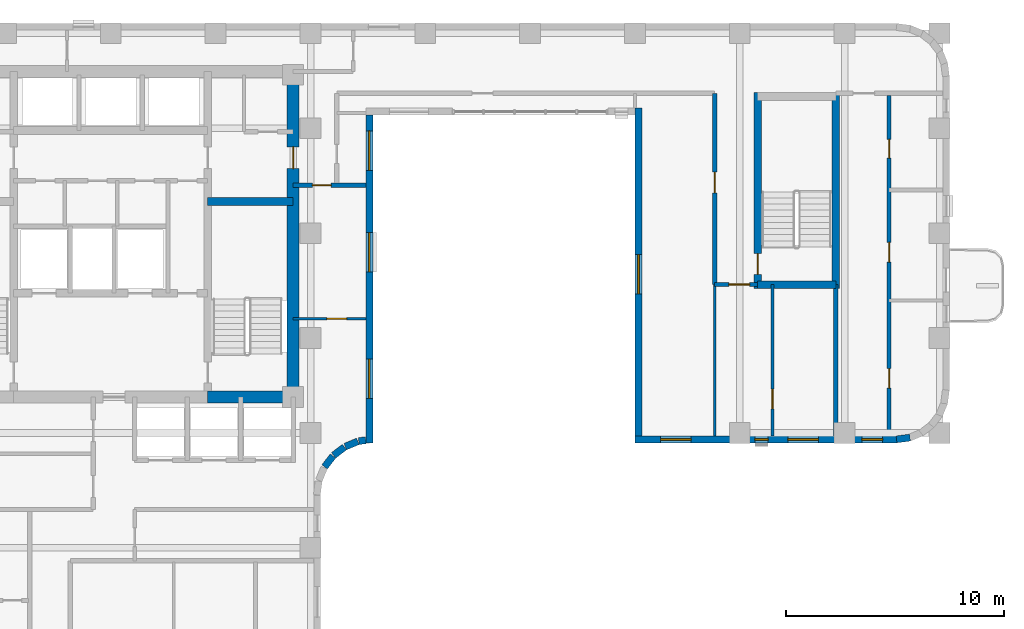
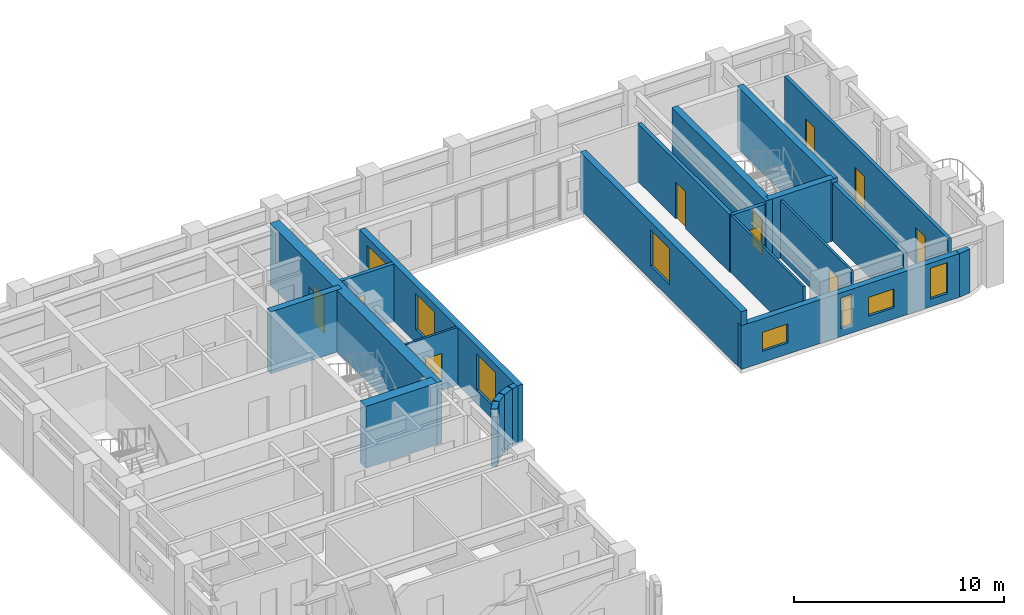
# One storey, part 6 of 11: 22 walls, 10 doors, 8 windows, 18 openings.
"""IFC4 building model written with IfcOpenShell, lengths in metres."""

from ifc_helpers import new_model, si_unit, direction, frame, frame_2d, origin, place, context, subcontext, project, spatial, rectangle, extrude, material, layer, layer_set, type_object, element, fill, save


model = new_model("IFC4")

# Units and contexts
model_context = context("Model", 3, precision=1e-05, world=origin(), true_north=direction((0.0, 1.0)))
body_context = subcontext(model_context, "Body", "Model", "MODEL_VIEW")
ifc_project = project(units=[si_unit("LENGTHUNIT", "METRE"), si_unit("AREAUNIT", "SQUARE_METRE"), si_unit("VOLUMEUNIT", "CUBIC_METRE"), si_unit("PLANEANGLEUNIT", "RADIAN"), si_unit("MASSUNIT", "GRAM", prefix="KILO")], contexts=[model_context])

# Site, building, storey
site_placement = place(None, origin())
site = spatial("IfcSite", under=ifc_project, at=site_placement, CompositionType="ELEMENT")
building_placement = place(site_placement, origin())
building = spatial("IfcBuilding", under=site, at=building_placement, Name="Orvandelia Arch Residences", CompositionType="ELEMENT")
storey_placement = place(building_placement, frame((0.0, 0.0, 175.60009765625)))
storey = spatial("IfcBuildingStorey", under=building, at=storey_placement, Name="L46", CompositionType="ELEMENT", Elevation=175.60009765625)

# Wall
ifc_material_1 = material(Name="Concrete C50/60", Category="concrete")
ifc_layer_1 = layer(ifc_material_1, 0.35009765625, Name="Concrete C50/60", Category="concrete")
ifc_layer_set_1 = layer_set([ifc_layer_1], Name="Concrete C50/60")
wall_type_1 = type_object("IfcWallType", Name="WL-CORE-350", PredefinedType="SHEAR", material=ifc_layer_set_1)
wall_1_placement = place(storey_placement, frame((18.840087890625, 39.85009765625, 0.0), z_axis=(0.0, 0.0, 1.0), x_axis=(1.0, 0.0, 0.0)))
element("IfcWall", 1, at=wall_1_placement, inside=storey, type_object=wall_type_1, Name="Core Shear Wall L46-HZ2", PredefinedType="SHEAR", context=body_context, shape_type="SweptSolid", body=[
    extrude(rectangle(XDim=3.909912109375, YDim=0.35009765625, at=frame_2d((1.955078125, 0.0))), origin(), (0.0, 0.0, 1.0), 3.599853515625),
])

# Wall, opening, door
wall_2_placement = place(storey_placement, frame((44.02001953125, 35.864990234375, 0.0), z_axis=(0.0, 0.0, 1.0), x_axis=(0.0, 1.0, 0.0)))
wall_2 = element("IfcWall", 2, at=wall_2_placement, inside=storey, type_object=wall_type_1, Name="East Stair Core Shear Wall L46-W", PredefinedType="SHEAR", context=body_context, shape_type="SweptSolid", body=[
    extrude(rectangle(XDim=8.969970703125, YDim=0.35009765625, at=frame_2d((4.48486328125, 0.0))), origin(), (0.0, 0.0, 1.0), 3.599853515625),
])
opening_1_placement = place(wall_2_placement, frame((0.64990234375, 0.0, 0.0)))
opening_1 = element("IfcOpeningElement", 3, at=opening_1_placement, cuts=wall_2, Name="Opening D7", PredefinedType="OPENING", context=body_context, shape_type="SweptSolid", body=[
    extrude(rectangle(XDim=0.949951171875, YDim=2.10009765625, at=frame_2d((0.47509765625, 1.050048828125))), frame((0.0, 0.18505859375, 0.0), z_axis=(0.0, -1.0, 0.0), x_axis=(1.0, 0.0, 0.0)), (0.0, 0.0, 1.0), 0.3701171875),
])
ifc_material_2 = material(Name="Pressurised Stairwell Fire Door")
door_type_1 = type_object("IfcDoorType", Name="DR-STAIR-950", OperationType="NOTDEFINED", PredefinedType="DOOR", material=ifc_material_2)
door_1_placement = place(opening_1_placement, origin())
door_1 = element("IfcDoor", 4, at=door_1_placement, inside=storey, type_object=door_type_1, Name="East Stairwell ST-3 Fire Door L46", OperationType="SINGLE_SWING_LEFT", OverallHeight=2.10009765625, OverallWidth=0.949951171875, PredefinedType="DOOR", context=body_context, shape_type="SweptSolid", body=[
    extrude(rectangle(XDim=0.949951171875, YDim=2.10009765625, at=frame_2d((0.47509765625, 1.050048828125))), frame((0.0, 0.02490234375, 0.0), z_axis=(0.0, -1.0, 0.0), x_axis=(1.0, 0.0, 0.0)), (0.0, 0.0, 1.0), 0.050048828125),
])
fill(opening_1, door_1)

# Walls
wall_3_placement = place(storey_placement, frame((47.60009765625, 35.864990234375, 0.0), z_axis=(0.0, 0.0, 1.0), x_axis=(0.0, 1.0, 0.0)))
element("IfcWall", 5, at=wall_3_placement, inside=storey, type_object=wall_type_1, Name="East Stair Core Shear Wall L46-E", PredefinedType="SHEAR", context=body_context, shape_type="SweptSolid", body=[
    extrude(rectangle(XDim=8.969970703125, YDim=0.35009765625, at=frame_2d((4.48486328125, 0.0))), origin(), (0.0, 0.0, 1.0), 3.599853515625),
])
wall_4_placement = place(storey_placement, frame((44.02001953125, 36.0400390625, 0.0), z_axis=(0.0, 0.0, 1.0), x_axis=(1.0, 0.0, 0.0)))
element("IfcWall", 6, at=wall_4_placement, inside=storey, type_object=wall_type_1, Name="East Stair Core Shear Wall L46-S", PredefinedType="SHEAR", context=body_context, shape_type="SweptSolid", body=[
    extrude(rectangle(XDim=3.580078125, YDim=0.35009765625, at=frame_2d((1.7900390625, 0.0))), origin(), (0.0, 0.0, 1.0), 3.599853515625),
])

# Wall, opening, door
ifc_material_3 = material(Name="Concrete C60/75", Category="concrete")
ifc_layer_2 = layer(ifc_material_3, 0.550048828125, Name="Concrete C60/75", Category="concrete")
ifc_layer_set_2 = layer_set([ifc_layer_2], Name="Concrete C60/75")
wall_type_2 = type_object("IfcWallType", Name="WL-CORE-550", PredefinedType="SHEAR", material=ifc_layer_set_2)
wall_5_placement = place(storey_placement, frame((22.75, 30.625, 0.0), z_axis=(0.0, 0.0, 1.0), x_axis=(0.0, 1.0, 0.0)))
wall_5 = element("IfcWall", 7, at=wall_5_placement, inside=storey, type_object=wall_type_2, Name="Core Shear Wall L46-E", PredefinedType="SHEAR", context=body_context, shape_type="SweptSolid", body=[
    extrude(rectangle(XDim=15.449951171875, YDim=0.550048828125, at=frame_2d((7.72509765625, 0.0))), origin(), (0.0, 0.0, 1.0), 3.599853515625),
])
opening_2_placement = place(wall_5_placement, frame((10.72509765625, 0.0, 0.0)))
opening_2 = element("IfcOpeningElement", 8, at=opening_2_placement, cuts=wall_5, Name="Opening D6", PredefinedType="OPENING", context=body_context, shape_type="SweptSolid", body=[
    extrude(rectangle(XDim=1.0, YDim=2.14990234375, at=frame_2d((0.5, 1.074951171875))), frame((0.0, 0.28515625, 0.0), z_axis=(0.0, -1.0, 0.0), x_axis=(1.0, 0.0, 0.0)), (0.0, 0.0, 1.0), 0.570068359375),
])
ifc_material_4 = material(Name="Smokeproof Painted Steel Fire Door", Category="steel")
door_type_2 = type_object("IfcDoorType", Name="DR-FD60-1000", OperationType="NOTDEFINED", PredefinedType="DOOR", material=ifc_material_4)
door_2_placement = place(opening_2_placement, origin())
door_2 = element("IfcDoor", 9, at=door_2_placement, inside=storey, type_object=door_type_2, Name="Core East Corridor Link Door L46", OperationType="SINGLE_SWING_LEFT", OverallHeight=2.14990234375, OverallWidth=1.0, PredefinedType="DOOR", context=body_context, shape_type="SweptSolid", body=[
    extrude(rectangle(XDim=1.0, YDim=2.14990234375, at=frame_2d((0.5, 1.074951171875))), frame((0.0, 0.02490234375, 0.0), z_axis=(0.0, -1.0, 0.0), x_axis=(1.0, 0.0, 0.0)), (0.0, 0.0, 1.0), 0.050048828125),
])
fill(opening_2, door_2)

# Wall
wall_6_placement = place(storey_placement, frame((18.840087890625, 30.89990234375, 0.0), z_axis=(0.0, 0.0, 1.0), x_axis=(1.0, 0.0, 0.0)))
element("IfcWall", 10, at=wall_6_placement, inside=storey, type_object=wall_type_2, Name="Core Shear Wall L46-SE", PredefinedType="SHEAR", context=body_context, shape_type="SweptSolid", body=[
    extrude(rectangle(XDim=3.909912109375, YDim=0.550048828125, at=frame_2d((1.955078125, 0.0))), origin(), (0.0, 0.0, 1.0), 3.599853515625),
])

# Wall, opening, door
ifc_material_5 = material(Name="Fire-Rated Corridor Partition")
ifc_layer_3 = layer(ifc_material_5, 0.199951171875, Name="Fire-Rated Corridor Partition")
ifc_layer_set_3 = layer_set([ifc_layer_3], Name="Fire-Rated Corridor Partition")
wall_type_3 = type_object("IfcWallType", Name="WL-CORR-200", PredefinedType="PARTITIONING", material=ifc_layer_set_3)
wall_7_placement = place(storey_placement, frame((22.75, 40.60009765625, 0.0), z_axis=(0.0, 0.0, 1.0), x_axis=(1.0, 0.0, 0.0)))
wall_7 = element("IfcWall", 11, at=wall_7_placement, inside=storey, type_object=wall_type_3, Name="Interior Partition Wall WL-L46-ENP-LS", PredefinedType="PARTITIONING", context=body_context, shape_type="SweptSolid", body=[
    extrude(rectangle(XDim=3.330078125, YDim=0.199951171875, at=frame_2d((1.6650390625, 0.0))), origin(), (0.0, 0.0, 1.0), 3.35986328125),
])
opening_3_placement = place(wall_7_placement, frame((0.8798828125, 0.0, 0.0)))
opening_3 = element("IfcOpeningElement", 12, at=opening_3_placement, cuts=wall_7, Name="Opening D4", PredefinedType="OPENING", context=body_context, shape_type="SweptSolid", body=[
    extrude(rectangle(XDim=0.860107421875, YDim=2.10009765625, at=frame_2d((0.43017578125, 1.050048828125))), frame((0.0, 0.10986328125, 0.0), z_axis=(0.0, -1.0, 0.0), x_axis=(1.0, 0.0, 0.0)), (0.0, 0.0, 1.0), 0.219970703125),
])
ifc_material_6 = material(Name="Moisture-Sealed Timber Bathroom Door", Category="wood")
door_type_3 = type_object("IfcDoorType", Name="DR-WET-900", OperationType="NOTDEFINED", PredefinedType="DOOR", material=ifc_material_6)
door_3_placement = place(opening_3_placement, origin())
door_3 = element("IfcDoor", 13, at=door_3_placement, inside=storey, type_object=door_type_3, Name="DR-L46-VPWL2", OperationType="SINGLE_SWING_RIGHT", OverallHeight=2.10009765625, OverallWidth=0.860107421875, PredefinedType="DOOR", context=body_context, shape_type="SweptSolid", body=[
    extrude(rectangle(XDim=0.860107421875, YDim=2.10009765625, at=frame_2d((0.43017578125, 1.050048828125))), frame((0.0, 0.02490234375, 0.0), z_axis=(0.0, -1.0, 0.0), x_axis=(1.0, 0.0, 0.0)), (0.0, 0.0, 1.0), 0.050048828125),
])
fill(opening_3, door_3)

wall_8_placement = place(storey_placement, frame((42.050048828125, 36.050048828125, 0.0), z_axis=(0.0, 0.0, 1.0), x_axis=(0.0, 1.0, 0.0)))
wall_8 = element("IfcWall", 14, at=wall_8_placement, inside=storey, type_object=wall_type_3, Name="Interior Partition Wall WL-L46-ENP-SW", PredefinedType="PARTITIONING", context=body_context, shape_type="SweptSolid", body=[
    extrude(rectangle(XDim=8.75, YDim=0.199951171875, at=frame_2d((4.375, 0.0))), origin(), (0.0, 0.0, 1.0), 3.35986328125),
])
opening_4_placement = place(wall_8_placement, frame((4.199951171875, 0.0, 0.0)))
opening_4 = element("IfcOpeningElement", 15, at=opening_4_placement, cuts=wall_8, Name="Opening D2", PredefinedType="OPENING", context=body_context, shape_type="SweptSolid", body=[
    extrude(rectangle(XDim=0.949951171875, YDim=2.14990234375, at=frame_2d((0.47509765625, 1.074951171875))), frame((0.0, 0.10986328125, 0.0), z_axis=(0.0, -1.0, 0.0), x_axis=(1.0, 0.0, 0.0)), (0.0, 0.0, 1.0), 0.219970703125),
])
ifc_material_7 = material(Name="Solid-Core Timber Interior Fire Door", Category="wood")
door_type_4 = type_object("IfcDoorType", Name="DR-APT-950", OperationType="NOTDEFINED", PredefinedType="DOOR", material=ifc_material_7)
door_4_placement = place(opening_4_placement, origin())
door_4 = element("IfcDoor", 16, at=door_4_placement, inside=storey, type_object=door_type_4, Name="DR-L46-VPE1", OperationType="SINGLE_SWING_LEFT", OverallHeight=2.14990234375, OverallWidth=0.949951171875, PredefinedType="DOOR", context=body_context, shape_type="SweptSolid", body=[
    extrude(rectangle(XDim=0.949951171875, YDim=2.14990234375, at=frame_2d((0.47509765625, 1.074951171875))), frame((0.0, 0.02490234375, 0.0), z_axis=(0.0, -1.0, 0.0), x_axis=(1.0, 0.0, 0.0)), (0.0, 0.0, 1.0), 0.050048828125),
])
fill(opening_4, door_4)

wall_9_placement = place(storey_placement, frame((42.050048828125, 36.050048828125, 0.0), z_axis=(0.0, 0.0, 1.0), x_axis=(1.0, 0.0, 0.0)))
wall_9 = element("IfcWall", 17, at=wall_9_placement, inside=storey, type_object=wall_type_3, Name="Interior Partition Wall WL-L46-ENP-SS", PredefinedType="PARTITIONING", context=body_context, shape_type="SweptSolid", body=[
    extrude(rectangle(XDim=1.969970703125, YDim=0.199951171875, at=frame_2d((0.98486328125, 0.0))), origin(), (0.0, 0.0, 1.0), 3.35986328125),
])
opening_5_placement = place(wall_9_placement, frame((0.64990234375, 0.0, 0.0)))
opening_5 = element("IfcOpeningElement", 18, at=opening_5_placement, cuts=wall_9, Name="Opening D2", PredefinedType="OPENING", context=body_context, shape_type="SweptSolid", body=[
    extrude(rectangle(XDim=0.949951171875, YDim=2.14990234375, at=frame_2d((0.47509765625, 1.074951171875))), frame((0.0, 0.10986328125, 0.0), z_axis=(0.0, -1.0, 0.0), x_axis=(1.0, 0.0, 0.0)), (0.0, 0.0, 1.0), 0.219970703125),
])
door_5_placement = place(opening_5_placement, origin())
door_5 = element("IfcDoor", 19, at=door_5_placement, inside=storey, type_object=door_type_4, Name="DR-L46-VPS3A", OperationType="SINGLE_SWING_LEFT", OverallHeight=2.14990234375, OverallWidth=0.949951171875, PredefinedType="DOOR", context=body_context, shape_type="SweptSolid", body=[
    extrude(rectangle(XDim=0.949951171875, YDim=2.14990234375, at=frame_2d((0.47509765625, 1.074951171875))), frame((0.0, 0.02490234375, 0.0), z_axis=(0.0, -1.0, 0.0), x_axis=(1.0, 0.0, 0.0)), (0.0, 0.0, 1.0), 0.050048828125),
])
fill(opening_5, door_5)

# Walls
ifc_material_8 = material(Name="Concrete C40/50", Category="concrete")
ifc_layer_4 = layer(ifc_material_8, 0.199951171875, Name="Concrete C40/50", Category="concrete")
ifc_layer_set_4 = layer_set([ifc_layer_4], Name="Concrete C40/50")
wall_type_4 = type_object("IfcWallType", Name="WL-DEM-200", PredefinedType="SOLIDWALL", material=ifc_layer_set_4)
wall_10_placement = place(storey_placement, frame((47.60009765625, 29.1201171875, 0.0), z_axis=(0.0, 0.0, 1.0), x_axis=(0.0, 1.0, 0.0)))
element("IfcWall", 20, at=wall_10_placement, inside=storey, type_object=wall_type_4, Name="Interior Partition Wall WL-L46-VPS3-E", PredefinedType="SOLIDWALL", context=body_context, shape_type="SweptSolid", body=[
    extrude(rectangle(XDim=6.919921875, YDim=0.199951171875, at=frame_2d((3.4599609375, 0.0))), origin(), (0.0, 0.0, 1.0), 3.35986328125),
])
ifc_material_9 = material(Name="Precast concrete C40/50", Category="concrete")
ifc_layer_5 = layer(ifc_material_9, 0.320068359375, Name="Precast concrete C40/50", Category="concrete")
ifc_layer_set_5 = layer_set([ifc_layer_5], Name="Precast concrete C40/50")
wall_type_5 = type_object("IfcWallType", Name="WL-EXT-STONE-320", PredefinedType="STANDARD", material=ifc_layer_set_5)
wall_11_placement = place(storey_placement, frame((51.000244140625, 29.040283203125, 0.0), z_axis=(0.0, 0.0, 1.0), x_axis=(-0.9914410257, -0.130555323746, 0.0)))
element("IfcWall", 21, at=wall_11_placement, inside=storey, type_object=wall_type_5, Name="Coral-Limestone Precast Facade Wall L46-020", PredefinedType="STANDARD", context=body_context, shape_type="SweptSolid", body=[
    extrude(rectangle(XDim=0.62646484375, YDim=0.320068359375, at=frame_2d((0.313232421875, 0.0))), origin(), (0.0, 0.0, 1.0), 2.539794921875),
])

# Wall, openings, windows
wall_12_placement = place(storey_placement, frame((50.39990234375, 28.9599609375, 0.0), z_axis=(0.0, 0.0, 1.0), x_axis=(-1.0, 0.0, 0.0)))
wall_12 = element("IfcWall", 22, at=wall_12_placement, inside=storey, type_object=wall_type_5, Name="Coral-Limestone Precast Facade Wall L46-021", PredefinedType="STANDARD", context=body_context, shape_type="SweptSolid", body=[
    extrude(rectangle(XDim=12.0, YDim=0.320068359375, at=frame_2d((6.0, 0.0))), origin(), (0.0, 0.0, 1.0), 2.539794921875),
])
opening_6_placement = place(wall_12_placement, frame((0.656005859375, 0.0, 0.449951171875)))
opening_6 = element("IfcOpeningElement", 23, at=opening_6_placement, cuts=wall_12, Name="Opening W4", PredefinedType="OPENING", context=body_context, shape_type="SweptSolid", body=[
    extrude(rectangle(XDim=0.949951171875, YDim=1.800048828125, at=frame_2d((0.47509765625, 0.89990234375))), frame((0.0, 0.169921875, 0.0), z_axis=(0.0, -1.0, 0.0), x_axis=(1.0, 0.0, 0.0)), (0.0, 0.0, 1.0), 0.340087890625),
])
opening_7_placement = place(wall_12_placement, frame((9.425048828125, 0.0, 0.64990234375)))
opening_7 = element("IfcOpeningElement", 24, at=opening_7_placement, cuts=wall_12, Name="Opening W10", PredefinedType="OPENING", context=body_context, shape_type="SweptSolid", body=[
    extrude(rectangle(XDim=1.39990234375, YDim=1.10009765625, at=frame_2d((0.699951171875, 0.550048828125))), frame((0.0, 0.169921875, 0.0), z_axis=(0.0, -1.0, 0.0), x_axis=(1.0, 0.0, 0.0)), (0.0, 0.0, 1.0), 0.340087890625),
])
opening_8_placement = place(wall_12_placement, frame((5.902587890625, 0.0, 0.449951171875)))
opening_8 = element("IfcOpeningElement", 25, at=opening_8_placement, cuts=wall_12, Name="Opening W12", PredefinedType="OPENING", context=body_context, shape_type="SweptSolid", body=[
    extrude(rectangle(XDim=0.60009765625, YDim=1.800048828125, at=frame_2d((0.300048828125, 0.89990234375))), frame((0.0, 0.169921875, 0.0), z_axis=(0.0, -1.0, 0.0), x_axis=(1.0, 0.0, 0.0)), (0.0, 0.0, 1.0), 0.340087890625),
])
opening_9_placement = place(wall_12_placement, frame((3.597412109375, 0.0, 0.64990234375)))
opening_9 = element("IfcOpeningElement", 26, at=opening_9_placement, cuts=wall_12, Name="Opening W10", PredefinedType="OPENING", context=body_context, shape_type="SweptSolid", body=[
    extrude(rectangle(XDim=1.39990234375, YDim=1.10009765625, at=frame_2d((0.699951171875, 0.550048828125))), frame((0.0, 0.169921875, 0.0), z_axis=(0.0, -1.0, 0.0), x_axis=(1.0, 0.0, 0.0)), (0.0, 0.0, 1.0), 0.340087890625),
])
ifc_material_10 = material(Name="Tempered Low-E Insulated Glazing", Category="glass")
window_type_1 = type_object("IfcWindowType", Name="WIN-CLR-1400x1100", PartitioningType="SINGLE_PANEL", PredefinedType="WINDOW", material=ifc_material_10)
window_1_placement = place(opening_7_placement, origin())
window_1 = element("IfcWindow", 27, at=window_1_placement, inside=storey, type_object=window_type_1, Name="Recessed Punched Window L46-008", OverallHeight=1.10009765625, OverallWidth=1.39990234375, PartitioningType="SINGLE_PANEL", PredefinedType="WINDOW", context=body_context, shape_type="SweptSolid", body=[
    extrude(rectangle(XDim=1.39990234375, YDim=1.10009765625, at=frame_2d((0.699951171875, 0.550048828125))), frame((0.0, 0.030029296875, 0.0), z_axis=(0.0, -1.0, 0.0), x_axis=(1.0, 0.0, 0.0)), (0.0, 0.0, 1.0), 0.06005859375),
])
fill(opening_7, window_1)
window_2_placement = place(opening_9_placement, origin())
window_2 = element("IfcWindow", 28, at=window_2_placement, inside=storey, type_object=window_type_1, Name="Recessed Punched Window L46-010", OverallHeight=1.10009765625, OverallWidth=1.39990234375, PartitioningType="SINGLE_PANEL", PredefinedType="WINDOW", context=body_context, shape_type="SweptSolid", body=[
    extrude(rectangle(XDim=1.39990234375, YDim=1.10009765625, at=frame_2d((0.699951171875, 0.550048828125))), frame((0.0, 0.030029296875, 0.0), z_axis=(0.0, -1.0, 0.0), x_axis=(1.0, 0.0, 0.0)), (0.0, 0.0, 1.0), 0.06005859375),
])
fill(opening_9, window_2)
window_type_2 = type_object("IfcWindowType", Name="WIN-LAN-0600x1800", PartitioningType="SINGLE_PANEL", PredefinedType="WINDOW", material=ifc_material_10)
window_3_placement = place(opening_8_placement, origin())
window_3 = element("IfcWindow", 29, at=window_3_placement, inside=storey, type_object=window_type_2, Name="Recessed Punched Window L46-009", OverallHeight=1.800048828125, OverallWidth=0.60009765625, PartitioningType="SINGLE_PANEL", PredefinedType="WINDOW", context=body_context, shape_type="SweptSolid", body=[
    extrude(rectangle(XDim=0.60009765625, YDim=1.800048828125, at=frame_2d((0.300048828125, 0.89990234375))), frame((0.0, 0.030029296875, 0.0), z_axis=(0.0, -1.0, 0.0), x_axis=(1.0, 0.0, 0.0)), (0.0, 0.0, 1.0), 0.06005859375),
])
fill(opening_8, window_3)
window_type_3 = type_object("IfcWindowType", Name="WIN-RES-0950x1800", PartitioningType="SINGLE_PANEL", PredefinedType="WINDOW", material=ifc_material_10)
window_4_placement = place(opening_6_placement, origin())
window_4 = element("IfcWindow", 30, at=window_4_placement, inside=storey, type_object=window_type_3, Name="Recessed Punched Window L46-007", OverallHeight=1.800048828125, OverallWidth=0.949951171875, PartitioningType="SINGLE_PANEL", PredefinedType="WINDOW", context=body_context, shape_type="SweptSolid", body=[
    extrude(rectangle(XDim=0.949951171875, YDim=1.800048828125, at=frame_2d((0.47509765625, 0.89990234375))), frame((0.0, 0.030029296875, 0.0), z_axis=(0.0, -1.0, 0.0), x_axis=(1.0, 0.0, 0.0)), (0.0, 0.0, 1.0), 0.06005859375),
])
fill(opening_6, window_4)

# Wall, opening, window
wall_13_placement = place(storey_placement, frame((38.56005859375, 28.800048828125, 0.0), z_axis=(0.0, 0.0, 1.0), x_axis=(0.0, 1.0, 0.0)))
wall_13 = element("IfcWall", 31, at=wall_13_placement, inside=storey, type_object=wall_type_5, Name="Coral-Limestone Precast Facade Wall L46-022", PredefinedType="STANDARD", context=body_context, shape_type="SweptSolid", body=[
    extrude(rectangle(XDim=15.320068359375, YDim=0.320068359375, at=frame_2d((7.66015625, 0.0))), origin(), (0.0, 0.0, 1.0), 3.35986328125),
])
opening_10_placement = place(wall_13_placement, frame((6.820068359375, 0.0, 0.800048828125)))
opening_10 = element("IfcOpeningElement", 32, at=opening_10_placement, cuts=wall_13, Name="Opening W1", PredefinedType="OPENING", context=body_context, shape_type="SweptSolid", body=[
    extrude(rectangle(XDim=1.800048828125, YDim=2.10009765625, at=frame_2d((0.89990234375, 1.050048828125))), frame((0.0, 0.169921875, 0.0), z_axis=(0.0, -1.0, 0.0), x_axis=(1.0, 0.0, 0.0)), (0.0, 0.0, 1.0), 0.340087890625),
])
window_type_4 = type_object("IfcWindowType", Name="WIN-RES-1800x2100", PartitioningType="SINGLE_PANEL", PredefinedType="WINDOW", material=ifc_material_10)
window_5_placement = place(opening_10_placement, origin())
window_5 = element("IfcWindow", 33, at=window_5_placement, inside=storey, type_object=window_type_4, Name="Recessed Punched Window L46-011", OverallHeight=2.10009765625, OverallWidth=1.800048828125, PartitioningType="SINGLE_PANEL", PredefinedType="WINDOW", context=body_context, shape_type="SweptSolid", body=[
    extrude(rectangle(XDim=1.800048828125, YDim=2.10009765625, at=frame_2d((0.89990234375, 1.050048828125))), frame((0.0, 0.030029296875, 0.0), z_axis=(0.0, -1.0, 0.0), x_axis=(1.0, 0.0, 0.0)), (0.0, 0.0, 1.0), 0.06005859375),
])
fill(opening_10, window_5)

# Wall, openings, windows
wall_14_placement = place(storey_placement, frame((26.239990234375, 43.800048828125, 0.0), z_axis=(0.0, 0.0, 1.0), x_axis=(0.0, -1.0, 0.0)))
wall_14 = element("IfcWall", 34, at=wall_14_placement, inside=storey, type_object=wall_type_5, Name="Coral-Limestone Precast Facade Wall L46-025", PredefinedType="STANDARD", context=body_context, shape_type="SweptSolid", body=[
    extrude(rectangle(XDim=15.0, YDim=0.320068359375, at=frame_2d((7.5, 0.0))), origin(), (0.0, 0.0, 1.0), 3.35986328125),
])
opening_11_placement = place(wall_14_placement, frame((11.169921875, 0.0, 0.800048828125)))
opening_11 = element("IfcOpeningElement", 35, at=opening_11_placement, cuts=wall_14, Name="Opening W1", PredefinedType="OPENING", context=body_context, shape_type="SweptSolid", body=[
    extrude(rectangle(XDim=1.800048828125, YDim=2.10009765625, at=frame_2d((0.89990234375, 1.050048828125))), frame((0.0, 0.169921875, 0.0), z_axis=(0.0, -1.0, 0.0), x_axis=(1.0, 0.0, 0.0)), (0.0, 0.0, 1.0), 0.340087890625),
])
opening_12_placement = place(wall_14_placement, frame((5.3701171875, 0.0, 0.800048828125)))
opening_12 = element("IfcOpeningElement", 36, at=opening_12_placement, cuts=wall_14, Name="Opening W1", PredefinedType="OPENING", context=body_context, shape_type="SweptSolid", body=[
    extrude(rectangle(XDim=1.800048828125, YDim=2.10009765625, at=frame_2d((0.89990234375, 1.050048828125))), frame((0.0, 0.169921875, 0.0), z_axis=(0.0, -1.0, 0.0), x_axis=(1.0, 0.0, 0.0)), (0.0, 0.0, 1.0), 0.340087890625),
])
opening_13_placement = place(wall_14_placement, frame((0.719970703125, 0.0, 0.800048828125)))
opening_13 = element("IfcOpeningElement", 37, at=opening_13_placement, cuts=wall_14, Name="Opening W1", PredefinedType="OPENING", context=body_context, shape_type="SweptSolid", body=[
    extrude(rectangle(XDim=1.800048828125, YDim=2.10009765625, at=frame_2d((0.89990234375, 1.050048828125))), frame((0.0, 0.169921875, 0.0), z_axis=(0.0, -1.0, 0.0), x_axis=(1.0, 0.0, 0.0)), (0.0, 0.0, 1.0), 0.340087890625),
])
window_6_placement = place(opening_11_placement, origin())
window_6 = element("IfcWindow", 38, at=window_6_placement, inside=storey, type_object=window_type_4, Name="Recessed Punched Window L46-014", OverallHeight=2.10009765625, OverallWidth=1.800048828125, PartitioningType="SINGLE_PANEL", PredefinedType="WINDOW", context=body_context, shape_type="SweptSolid", body=[
    extrude(rectangle(XDim=1.800048828125, YDim=2.10009765625, at=frame_2d((0.89990234375, 1.050048828125))), frame((0.0, 0.030029296875, 0.0), z_axis=(0.0, -1.0, 0.0), x_axis=(1.0, 0.0, 0.0)), (0.0, 0.0, 1.0), 0.06005859375),
])
fill(opening_11, window_6)
window_7_placement = place(opening_12_placement, origin())
window_7 = element("IfcWindow", 39, at=window_7_placement, inside=storey, type_object=window_type_4, Name="Recessed Punched Window L46-015", OverallHeight=2.10009765625, OverallWidth=1.800048828125, PartitioningType="SINGLE_PANEL", PredefinedType="WINDOW", context=body_context, shape_type="SweptSolid", body=[
    extrude(rectangle(XDim=1.800048828125, YDim=2.10009765625, at=frame_2d((0.89990234375, 1.050048828125))), frame((0.0, 0.030029296875, 0.0), z_axis=(0.0, -1.0, 0.0), x_axis=(1.0, 0.0, 0.0)), (0.0, 0.0, 1.0), 0.06005859375),
])
fill(opening_12, window_7)
window_8_placement = place(opening_13_placement, origin())
window_8 = element("IfcWindow", 40, at=window_8_placement, inside=storey, type_object=window_type_4, Name="Recessed Punched Window L46-016", OverallHeight=2.10009765625, OverallWidth=1.800048828125, PartitioningType="SINGLE_PANEL", PredefinedType="WINDOW", context=body_context, shape_type="SweptSolid", body=[
    extrude(rectangle(XDim=1.800048828125, YDim=2.10009765625, at=frame_2d((0.89990234375, 1.050048828125))), frame((0.0, 0.030029296875, 0.0), z_axis=(0.0, -1.0, 0.0), x_axis=(1.0, 0.0, 0.0)), (0.0, 0.0, 1.0), 0.06005859375),
])
fill(opening_13, window_8)

# Walls
wall_15_placement = place(storey_placement, frame((26.081787109375, 28.91943359375, 0.0), z_axis=(0.0, 0.0, 1.0), x_axis=(-0.991512688813, -0.130009953168, 0.0)))
element("IfcWall", 41, at=wall_15_placement, inside=storey, type_object=wall_type_5, Name="Coral-Limestone Precast Facade Wall L46-026", PredefinedType="STANDARD", context=body_context, shape_type="SweptSolid", body=[
    extrude(rectangle(XDim=0.32666015625, YDim=0.320068359375, at=frame_2d((0.163330078125, 0.0))), origin(), (0.0, 0.0, 1.0), 3.35986328125),
])
wall_16_placement = place(storey_placement, frame((25.717529296875, 28.865966796875, 0.0), z_axis=(0.0, 0.0, 1.0), x_axis=(-0.923836271867, -0.382787856107, 0.0)))
element("IfcWall", 42, at=wall_16_placement, inside=storey, type_object=wall_type_5, Name="Coral-Limestone Precast Facade Wall L46-027", PredefinedType="STANDARD", context=body_context, shape_type="SweptSolid", body=[
    extrude(rectangle(XDim=0.626220703125, YDim=0.320068359375, at=frame_2d((0.31298828125, 0.0))), origin(), (0.0, 0.0, 1.0), 3.35986328125),
])
for number, where, z_axis, x_axis, name in (
    (43, (25.1025390625, 28.60546875, 0.0), (0.0, 0.0, 1.0), (-0.793405610854, -0.608693302629, 0.0), "Coral-Limestone Precast Facade Wall L46-028"),
    (44, (24.575927734375, 28.194580078125, 0.0), (0.0, 0.0, 1.0), (-0.608693302629, -0.793405610854, 0.0), "Coral-Limestone Precast Facade Wall L46-029"),
):
    element("IfcWall", number, at=place(storey_placement, frame(where, z_axis=z_axis, x_axis=x_axis)), inside=storey, type_object=wall_type_5, Name=name, PredefinedType="STANDARD", context=body_context, shape_type="SweptSolid", body=[
        extrude(rectangle(XDim=0.62646484375, YDim=0.320068359375, at=frame_2d((0.313232421875, 0.0))), origin(), (0.0, 0.0, 1.0), 3.35986328125),
    ])

# Wall, opening, door
ifc_material_11 = material(Name="Lightweight Gypsum Stud Partition")
ifc_layer_6 = layer(ifc_material_11, 0.1201171875, Name="Lightweight Gypsum Stud Partition")
ifc_layer_set_6 = layer_set([ifc_layer_6], Name="Lightweight Gypsum Stud Partition")
wall_type_6 = type_object("IfcWallType", Name="WL-PART-120", PredefinedType="PARTITIONING", material=ifc_layer_set_6)
wall_17_placement = place(storey_placement, frame((22.75, 34.47998046875, 0.0), z_axis=(0.0, 0.0, 1.0), x_axis=(1.0, 0.0, 0.0)))
wall_17 = element("IfcWall", 45, at=wall_17_placement, inside=storey, type_object=wall_type_6, Name="Interior Partition Wall WL-L46-VPW-M", PredefinedType="PARTITIONING", context=body_context, shape_type="SweptSolid", body=[
    extrude(rectangle(XDim=3.330078125, YDim=0.1201171875, at=frame_2d((1.6650390625, 0.0))), origin(), (0.0, 0.0, 1.0), 3.35986328125),
])
opening_14_placement = place(wall_17_placement, frame((1.550048828125, 0.0, 0.0)))
opening_14 = element("IfcOpeningElement", 46, at=opening_14_placement, cuts=wall_17, Name="Opening D3", PredefinedType="OPENING", context=body_context, shape_type="SweptSolid", body=[
    extrude(rectangle(XDim=0.89990234375, YDim=2.14990234375, at=frame_2d((0.449951171875, 1.074951171875))), frame((0.0, 0.070068359375, 0.0), z_axis=(0.0, -1.0, 0.0), x_axis=(1.0, 0.0, 0.0)), (0.0, 0.0, 1.0), 0.14013671875),
])
ifc_material_12 = material(Name="Engineered Timber Flush Door", Category="wood")
door_type_5 = type_object("IfcDoorType", Name="DR-INT-900", OperationType="NOTDEFINED", PredefinedType="DOOR", material=ifc_material_12)
door_6_placement = place(opening_14_placement, origin())
door_6 = element("IfcDoor", 47, at=door_6_placement, inside=storey, type_object=door_type_5, Name="DR-L46-VPWL1", OperationType="SINGLE_SWING_LEFT", OverallHeight=2.14990234375, OverallWidth=0.89990234375, PredefinedType="DOOR", context=body_context, shape_type="SweptSolid", body=[
    extrude(rectangle(XDim=0.89990234375, YDim=2.14990234375, at=frame_2d((0.449951171875, 1.074951171875))), frame((0.0, 0.02490234375, 0.0), z_axis=(0.0, -1.0, 0.0), x_axis=(1.0, 0.0, 0.0)), (0.0, 0.0, 1.0), 0.050048828125),
])
fill(opening_14, door_6)

wall_18_placement = place(storey_placement, frame((44.699951171875, 29.1201171875, 0.0), z_axis=(0.0, 0.0, 1.0), x_axis=(0.0, 1.0, 0.0)))
wall_18 = element("IfcWall", 48, at=wall_18_placement, inside=storey, type_object=wall_type_6, Name="Interior Partition Wall WL-L46-VPS3-M", PredefinedType="PARTITIONING", context=body_context, shape_type="SweptSolid", body=[
    extrude(rectangle(XDim=6.919921875, YDim=0.1201171875, at=frame_2d((3.4599609375, 0.0))), origin(), (0.0, 0.0, 1.0), 3.35986328125),
])
opening_15_placement = place(wall_18_placement, frame((1.239990234375, 0.0, 0.0)))
opening_15 = element("IfcOpeningElement", 49, at=opening_15_placement, cuts=wall_18, Name="Opening D3", PredefinedType="OPENING", context=body_context, shape_type="SweptSolid", body=[
    extrude(rectangle(XDim=0.89990234375, YDim=2.14990234375, at=frame_2d((0.449951171875, 1.074951171875))), frame((0.0, 0.070068359375, 0.0), z_axis=(0.0, -1.0, 0.0), x_axis=(1.0, 0.0, 0.0)), (0.0, 0.0, 1.0), 0.14013671875),
])
door_7_placement = place(opening_15_placement, origin())
door_7 = element("IfcDoor", 50, at=door_7_placement, inside=storey, type_object=door_type_5, Name="DR-L46-VPS3B", OperationType="SINGLE_SWING_RIGHT", OverallHeight=2.14990234375, OverallWidth=0.89990234375, PredefinedType="DOOR", context=body_context, shape_type="SweptSolid", body=[
    extrude(rectangle(XDim=0.89990234375, YDim=2.14990234375, at=frame_2d((0.449951171875, 1.074951171875))), frame((0.0, 0.02490234375, 0.0), z_axis=(0.0, -1.0, 0.0), x_axis=(1.0, 0.0, 0.0)), (0.0, 0.0, 1.0), 0.050048828125),
])
fill(opening_15, door_7)

# Wall
wall_19_placement = place(storey_placement, frame((42.050048828125, 29.1201171875, 0.0), z_axis=(0.0, 0.0, 1.0), x_axis=(0.0, 1.0, 0.0)))
element("IfcWall", 51, at=wall_19_placement, inside=storey, type_object=wall_type_6, Name="Interior Partition Wall WL-L46-VPS3-W", PredefinedType="PARTITIONING", context=body_context, shape_type="SweptSolid", body=[
    extrude(rectangle(XDim=6.929931640625, YDim=0.1201171875, at=frame_2d((3.46484375, 0.0))), origin(), (0.0, 0.0, 1.0), 3.35986328125),
])

# Wall, openings, doors
ifc_material_13 = material(Name="Moisture-Resistant Plumbing Wall")
ifc_layer_7 = layer(ifc_material_13, 0.179931640625, Name="Moisture-Resistant Plumbing Wall")
ifc_layer_set_7 = layer_set([ifc_layer_7], Name="Moisture-Resistant Plumbing Wall")
wall_type_7 = type_object("IfcWallType", Name="WL-WET-180", PredefinedType="PLUMBINGWALL", material=ifc_layer_set_7)
wall_20_placement = place(storey_placement, frame((50.04296875, 29.1201171875, 0.0), z_axis=(0.0, 0.0, 1.0), x_axis=(0.0, 1.0, 0.0)))
wall_20 = element("IfcWall", 52, at=wall_20_placement, inside=storey, type_object=wall_type_7, Name="Interior Partition Wall WL-L46-U05-VT", PredefinedType="PLUMBINGWALL", context=body_context, shape_type="SweptSolid", body=[
    extrude(rectangle(XDim=15.579833984375, YDim=0.179931640625, at=frame_2d((7.7900390625, 0.0))), origin(), (0.0, 0.0, 1.0), 3.35986328125),
])
opening_16_placement = place(wall_20_placement, frame((2.1826171875, 0.0, 0.0)))
opening_16 = element("IfcOpeningElement", 53, at=opening_16_placement, cuts=wall_20, Name="Opening D3", PredefinedType="OPENING", context=body_context, shape_type="SweptSolid", body=[
    extrude(rectangle(XDim=0.89990234375, YDim=2.14990234375, at=frame_2d((0.449951171875, 1.074951171875))), frame((0.0, 0.10009765625, 0.0), z_axis=(0.0, -1.0, 0.0), x_axis=(1.0, 0.0, 0.0)), (0.0, 0.0, 1.0), 0.199951171875),
])
opening_17_placement = place(wall_20_placement, frame((7.958740234375, 0.0, 0.0)))
opening_17 = element("IfcOpeningElement", 54, at=opening_17_placement, cuts=wall_20, Name="Opening D3", PredefinedType="OPENING", context=body_context, shape_type="SweptSolid", body=[
    extrude(rectangle(XDim=0.89990234375, YDim=2.14990234375, at=frame_2d((0.449951171875, 1.074951171875))), frame((0.0, 0.10009765625, 0.0), z_axis=(0.0, -1.0, 0.0), x_axis=(1.0, 0.0, 0.0)), (0.0, 0.0, 1.0), 0.199951171875),
])
opening_18_placement = place(wall_20_placement, frame((12.710693359375, 0.0, 0.0)))
opening_18 = element("IfcOpeningElement", 55, at=opening_18_placement, cuts=wall_20, Name="Opening D4", PredefinedType="OPENING", context=body_context, shape_type="SweptSolid", body=[
    extrude(rectangle(XDim=0.860107421875, YDim=2.10009765625, at=frame_2d((0.43017578125, 1.050048828125))), frame((0.0, 0.10009765625, 0.0), z_axis=(0.0, -1.0, 0.0), x_axis=(1.0, 0.0, 0.0)), (0.0, 0.0, 1.0), 0.199951171875),
])
door_8_placement = place(opening_16_placement, origin())
door_8 = element("IfcDoor", 56, at=door_8_placement, inside=storey, type_object=door_type_5, Name="DR-L46-U05-BD1", OperationType="SINGLE_SWING_LEFT", OverallHeight=2.14990234375, OverallWidth=0.89990234375, PredefinedType="DOOR", context=body_context, shape_type="SweptSolid", body=[
    extrude(rectangle(XDim=0.89990234375, YDim=2.14990234375, at=frame_2d((0.449951171875, 1.074951171875))), frame((0.0, 0.02490234375, 0.0), z_axis=(0.0, -1.0, 0.0), x_axis=(1.0, 0.0, 0.0)), (0.0, 0.0, 1.0), 0.050048828125),
])
fill(opening_16, door_8)
door_9_placement = place(opening_17_placement, origin())
door_9 = element("IfcDoor", 57, at=door_9_placement, inside=storey, type_object=door_type_5, Name="DR-L46-U05-KIT", OperationType="SINGLE_SWING_RIGHT", OverallHeight=2.14990234375, OverallWidth=0.89990234375, PredefinedType="DOOR", context=body_context, shape_type="SweptSolid", body=[
    extrude(rectangle(XDim=0.89990234375, YDim=2.14990234375, at=frame_2d((0.449951171875, 1.074951171875))), frame((0.0, 0.02490234375, 0.0), z_axis=(0.0, -1.0, 0.0), x_axis=(1.0, 0.0, 0.0)), (0.0, 0.0, 1.0), 0.050048828125),
])
fill(opening_17, door_9)
door_10_placement = place(opening_18_placement, origin())
door_10 = element("IfcDoor", 58, at=door_10_placement, inside=storey, type_object=door_type_3, Name="DR-L46-U05-BTH", OperationType="SINGLE_SWING_LEFT", OverallHeight=2.10009765625, OverallWidth=0.860107421875, PredefinedType="DOOR", context=body_context, shape_type="SweptSolid", body=[
    extrude(rectangle(XDim=0.860107421875, YDim=2.10009765625, at=frame_2d((0.43017578125, 1.050048828125))), frame((0.0, 0.02490234375, 0.0), z_axis=(0.0, -1.0, 0.0), x_axis=(1.0, 0.0, 0.0)), (0.0, 0.0, 1.0), 0.050048828125),
])
fill(opening_18, door_10)

save(model, "model.ifc")
